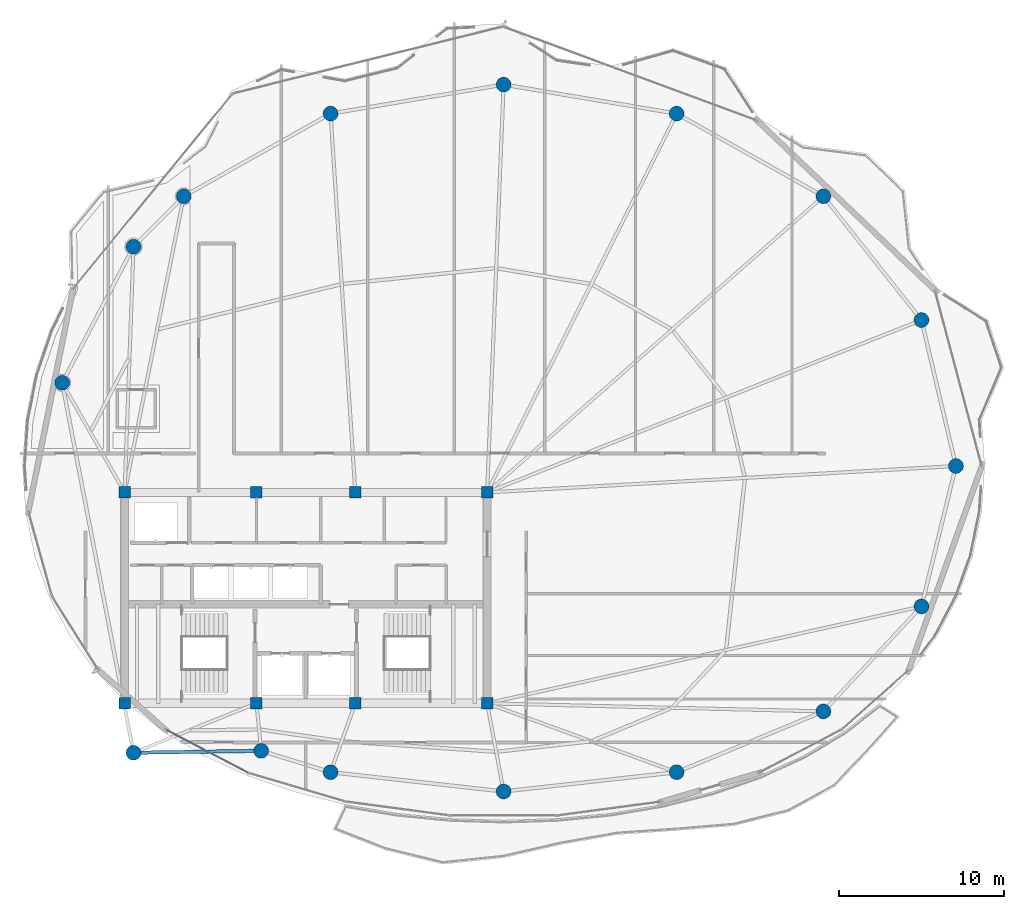
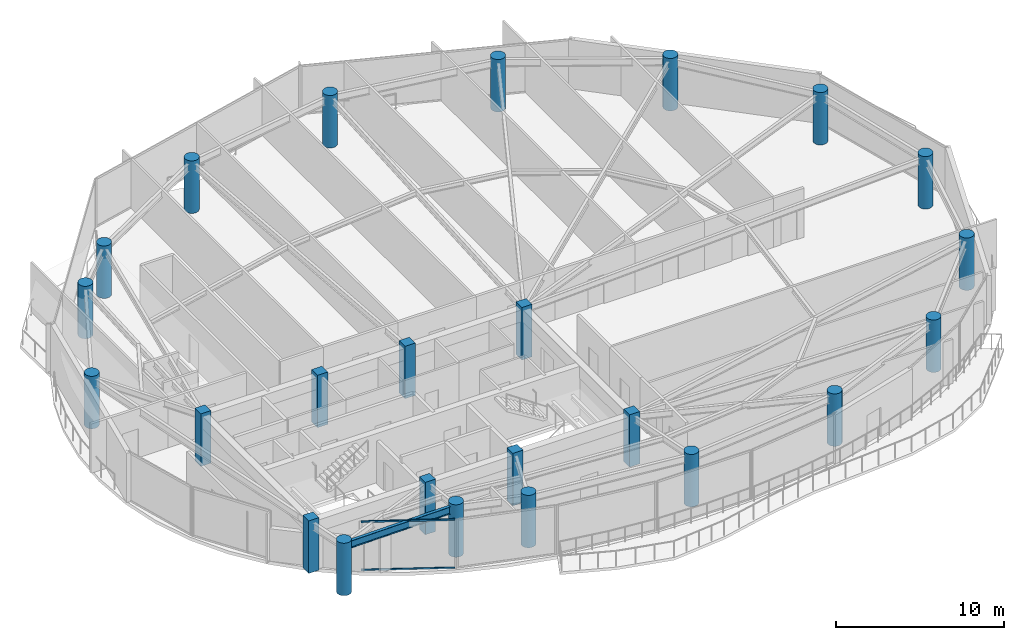
# One storey, part 1 of 29: 24 columns, 2 members, 1 beam, 1 element without a shape of its own.
"""IFC4 building model written with IfcOpenShell, lengths in metres."""

from ifc_helpers import new_model, si_unit, direction, frame, origin, origin_2d, place, context, subcontext, project, spatial, rectangle, hollow_rectangle, circle, i_section, extrude, material, layer, layer_set, material_profile, profile_set, type_object, element, aggregate, save


model = new_model("IFC4")

# Units and contexts
model_context = context("Model", 3, precision=1e-05, world=origin(), true_north=direction((0.0, 1.0)))
body_context = subcontext(model_context, "Body", "Model", "MODEL_VIEW")
ifc_project = project(units=[si_unit("LENGTHUNIT", "METRE"), si_unit("AREAUNIT", "SQUARE_METRE"), si_unit("VOLUMEUNIT", "CUBIC_METRE"), si_unit("PLANEANGLEUNIT", "RADIAN"), si_unit("MASSUNIT", "GRAM", prefix="KILO")], contexts=[model_context])

# Site, building, storey
site_placement = place(None, origin())
site = spatial("IfcSite", under=ifc_project, at=site_placement, CompositionType="ELEMENT")
building_placement = place(site_placement, origin())
building = spatial("IfcBuilding", under=site, at=building_placement, Name="Kazevale Care Tower and Concert Hall", CompositionType="ELEMENT")
storey_placement = place(building_placement, frame((0.0, 0.0, 285.199951171875)))
storey = spatial("IfcBuildingStorey", under=building, at=storey_placement, Name="L75", CompositionType="ELEMENT", Elevation=285.199951171875)

# Columns
ifc_material_1 = material(Name="Concrete C50", Category="concrete")
ifc_material_profile_1 = material_profile(ifc_material_1, rectangle(XDim=0.699951171875, YDim=0.699951171875, at=origin_2d()), Name="RC-SQ700")
ifc_profile_set_1 = profile_set([ifc_material_profile_1], Name="Concrete C50")
column_type_1 = type_object("IfcColumnType", Name="Core Column SQ700 C50", PredefinedType="COLUMN", material=ifc_profile_set_1)
for number, where, z_axis, x_axis, name in (
    (1, (22.0, 23.60009765625, 0.0), (0.0, 0.0, 1.0), (1.0, 0.0, 0.0), "col:L75:CC-01"),
    (2, (30.0, 23.60009765625, 0.0), (0.0, 0.0, 1.0), (1.0, 0.0, 0.0), "col:L75:CC-02"),
    (3, (36.0, 23.60009765625, 0.0), (0.0, 0.0, 1.0), (1.0, 0.0, 0.0), "col:L75:CC-03"),
    (4, (44.0, 23.60009765625, 0.0), (0.0, 0.0, 1.0), (1.0, 0.0, 0.0), "col:L75:CC-04"),
    (5, (44.0, 36.39990234375, 0.0), (0.0, 0.0, 1.0), (1.0, 0.0, 0.0), "col:L75:CC-05"),
    (6, (36.0, 36.39990234375, 0.0), (0.0, 0.0, 1.0), (1.0, 0.0, 0.0), "col:L75:CC-06"),
    (7, (30.0, 36.39990234375, 0.0), (0.0, 0.0, 1.0), (1.0, 0.0, 0.0), "col:L75:CC-07"),
    (8, (22.0, 36.39990234375, 0.0), (0.0, 0.0, 1.0), (1.0, 0.0, 0.0), "col:L75:CC-08"),
):
    element("IfcColumn", number, at=place(storey_placement, frame(where, z_axis=z_axis, x_axis=x_axis)), inside=storey, type_object=column_type_1, Name=name, PredefinedType="COLUMN", context=body_context, shape_type="SweptSolid", body=[
        extrude(rectangle(XDim=0.699951171875, YDim=0.699951171875, at=origin_2d()), origin(), (0.0, 0.0, 1.0), 3.800048828125),
    ])
ifc_material_profile_2 = material_profile(ifc_material_1, circle(Radius=0.449951171875, at=origin_2d()), Name="RC-CIR900")
ifc_profile_set_2 = profile_set([ifc_material_profile_2], Name="Concrete C50")
column_type_2 = type_object("IfcColumnType", Name="Perimeter Column CIR900 C50", PredefinedType="COLUMN", material=ifc_profile_set_2)
for number, where, z_axis, x_axis, name in (
    (9, (72.449951171875, 38.0, 0.0), (0.0, 0.0, 1.0), (1.0, 0.0, 0.0), "col:L75:PC-01"),
    (10, (70.360107421875, 46.860107421875, 0.0), (0.0, 0.0, 1.0), (1.0, 0.0, 0.0), "col:L75:PC-02"),
    (11, (64.409912109375, 54.3701171875, 0.0), (0.0, 0.0, 1.0), (1.0, 0.0, 0.0), "col:L75:PC-03"),
    (12, (55.5, 59.389892578125, 0.0), (0.0, 0.0, 1.0), (1.0, 0.0, 0.0), "col:L75:PC-04"),
    (13, (45.0, 61.14990234375, 0.0), (0.0, 0.0, 1.0), (1.0, 0.0, 0.0), "col:L75:PC-05"),
    (14, (34.5, 59.389892578125, 0.0), (0.0, 0.0, 1.0), (1.0, 0.0, 0.0), "col:L75:PC-06"),
    (15, (25.590087890625, 54.3701171875, 0.0), (0.0, 0.0, 1.0), (1.0, 0.0, 0.0), "col:L75:PC-07"),
    (16, (22.5400390625, 51.31005859375, 0.0), (0.0, 0.0, 1.0), (1.0, 0.0, 0.0), "col:L75:PC-08"),
    (17, (18.2099609375, 43.050048828125, 0.0), (0.0, 0.0, 1.0), (1.0, 0.0, 0.0), "col:L75:PC-09"),
    (18, (22.5400390625, 20.60009765625, 0.0), (0.0, 0.0, 1.0), (1.0, 0.0, 0.0), "col:L75:PC-10"),
    (19, (30.2900390625, 20.719970703125, 0.0), (0.0, 0.0, 1.0), (1.0, 0.0, 0.0), "col:L75:PC-11"),
    (20, (34.5, 19.419921875, 0.0), (0.0, 0.0, 1.0), (1.0, 0.0, 0.0), "col:L75:PC-12"),
    (21, (45.0, 18.25, 0.0), (0.0, 0.0, 1.0), (1.0, 0.0, 0.0), "col:L75:PC-13"),
    (22, (55.5, 19.419921875, 0.0), (0.0, 0.0, 1.0), (1.0, 0.0, 0.0), "col:L75:PC-14"),
    (23, (64.409912109375, 23.110107421875, 0.0), (0.0, 0.0, 1.0), (1.0, 0.0, 0.0), "col:L75:PC-15"),
    (24, (70.360107421875, 29.47998046875, 0.0), (0.0, 0.0, 1.0), (1.0, 0.0, 0.0), "col:L75:PC-16"),
):
    element("IfcColumn", number, at=place(storey_placement, frame(where, z_axis=z_axis, x_axis=x_axis)), inside=storey, type_object=column_type_2, Name=name, PredefinedType="COLUMN", context=body_context, shape_type="SweptSolid", body=[
        extrude(circle(Radius=0.449951171875, at=origin_2d()), origin(), (0.0, 0.0, 1.0), 3.800048828125),
    ])

# Curtain wall, members
ifc_material_2 = material(Name="Aluminium 6063-T6 and Low-E Glass", Category="aluminium")
ifc_layer = layer(ifc_material_2, 0.179931640625)
ifc_layer_set = layer_set([ifc_layer], Name="Aluminium 6063-T6 and Low-E Glass")
curtain_wall_type = type_object("IfcCurtainWallType", Name="Sheltered Concave Balcony Curtain Wall CW-5", PredefinedType="NOTDEFINED", material=ifc_layer_set)
curtain_wall_placement = place(storey_placement, origin())
curtain_wall = element("IfcCurtainWall", 25, at=curtain_wall_placement, inside=storey, type_object=curtain_wall_type, Name="cw:L75:f09", PredefinedType="NOTDEFINED")
ifc_material_3 = material(Name="Aluminium 6063-T6", Category="aluminium")
ifc_material_profile_3 = material_profile(ifc_material_3, hollow_rectangle(XDim=0.074951171875, YDim=0.1201171875, WallThickness=0.00390625, at=origin_2d()), Name="ALU75x120x4")
ifc_profile_set_3 = profile_set([ifc_material_profile_3], Name="Aluminium 6063-T6")
member_type = type_object("IfcMemberType", Name="CW-5 Transom ALU75x120x4", PredefinedType="USERDEFINED", material=ifc_profile_set_3)
member_1_placement = place(storey_placement, frame((29.464599609375, 19.399658203125, 0.03759765625), z_axis=(-0.885987336027, 0.463709435314, 0.0), x_axis=(-0.463709435314, -0.885987336027, 0.0)))
member_1 = element("IfcMember", 26, at=member_1_placement, type_object=member_type, Name="CW-5 transom 1.1", ObjectType="TRANSOM", PredefinedType="USERDEFINED", context=body_context, shape_type="SweptSolid", body=[
    extrude(hollow_rectangle(XDim=0.074951171875, YDim=0.1201171875, WallThickness=0.00390625, at=origin_2d()), origin(), (0.0, 0.0, 1.0), 5.580322265625),
])
member_2_placement = place(storey_placement, frame((29.464599609375, 19.399658203125, 3.5224609375), z_axis=(-0.885987336027, 0.463709435314, 0.0), x_axis=(-0.463709435314, -0.885987336027, 0.0)))
member_2 = element("IfcMember", 27, at=member_2_placement, type_object=member_type, Name="CW-5 transom 1.2", ObjectType="TRANSOM", PredefinedType="USERDEFINED", context=body_context, shape_type="SweptSolid", body=[
    extrude(hollow_rectangle(XDim=0.074951171875, YDim=0.1201171875, WallThickness=0.00390625, at=origin_2d()), origin(), (0.0, 0.0, 1.0), 5.580322265625),
])
aggregate(curtain_wall, [member_1, member_2])

# Beam
ifc_material_4 = material(Name="Steel ASTM A572 Gr 50", Category="steel")
ifc_material_profile_4 = material_profile(ifc_material_4, i_section(OverallWidth=0.208984375, OverallDepth=0.532958984375, WebThickness=0.01025390625, FlangeThickness=0.015625, at=origin_2d()), Name="W530x92")
ifc_profile_set_4 = profile_set([ifc_material_profile_4], Name="Steel ASTM A572 Gr 50")
beam_type = type_object("IfcBeamType", Name="Upper Ring Beam W530x92", PredefinedType="BEAM", material=ifc_profile_set_4)
beam_placement = place(storey_placement, frame((22.5400390625, 20.60009765625, 3.29345703125), z_axis=(0.999880399838, 0.015465640005, 0.0), x_axis=(-0.015465640005, 0.999880399838, 0.0)))
element("IfcBeam", 28, at=beam_placement, inside=storey, type_object=beam_type, Name="beam:L75:ring:10", PredefinedType="BEAM", context=body_context, shape_type="SweptSolid", body=[
    extrude(i_section(OverallWidth=0.208984375, OverallDepth=0.532958984375, WebThickness=0.01025390625, FlangeThickness=0.015625, at=origin_2d()), origin(), (0.0, 0.0, 1.0), 7.7509765625),
])

save(model, "model.ifc")
